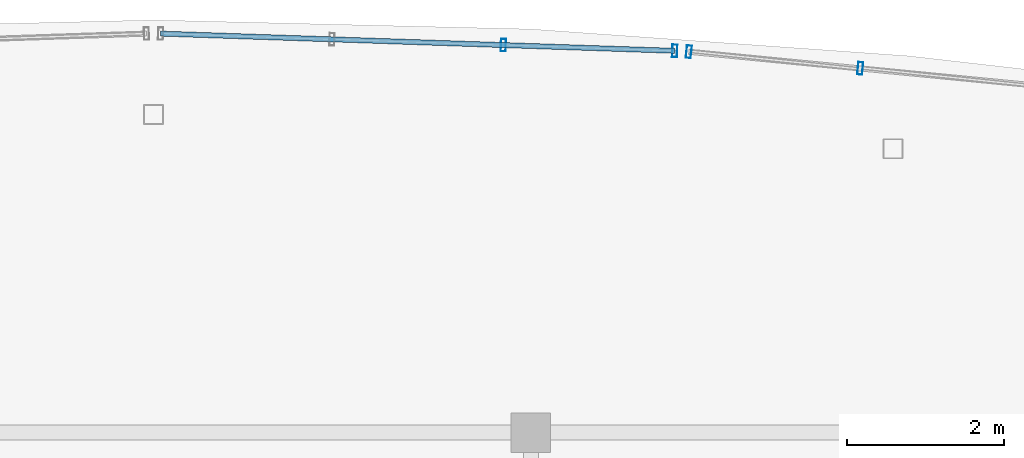
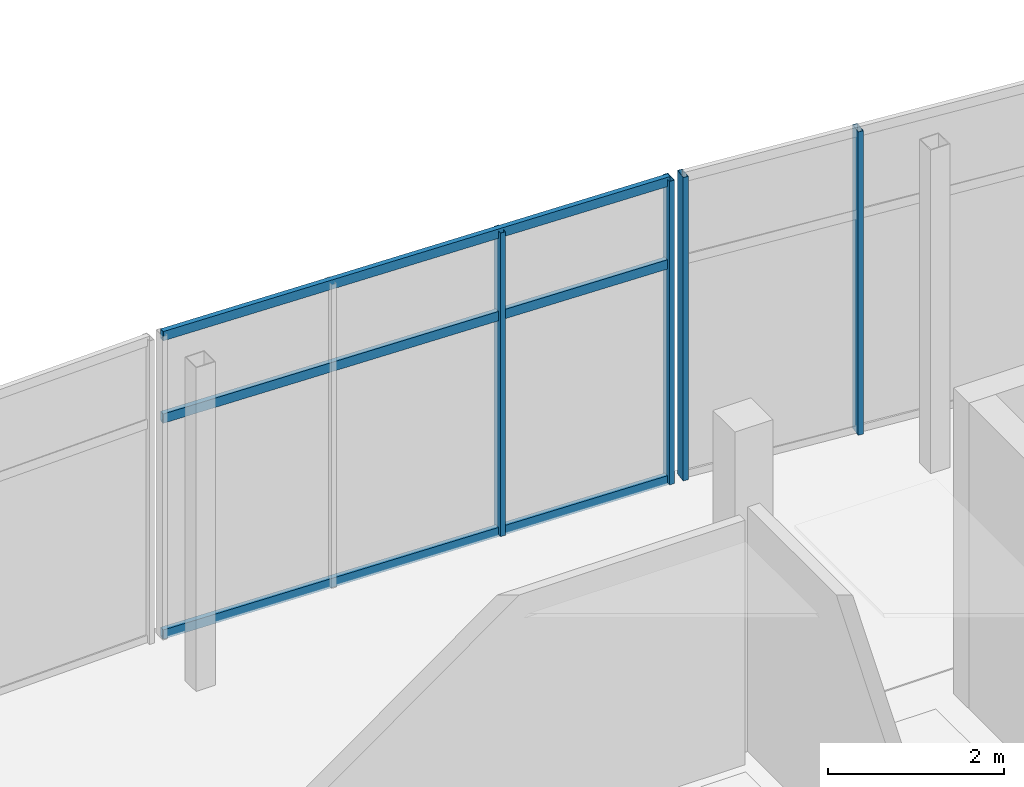
# One storey, part 73 of 114: 7 members, 2 elements without a shape of their own.
"""IFC4 building model written with IfcOpenShell, lengths in metres."""

from ifc_helpers import new_model, si_unit, direction, frame, origin, origin_2d, place, context, subcontext, project, spatial, hollow_rectangle, extrude, material, layer, layer_set, material_profile, profile_set, type_object, element, aggregate, save


model = new_model("IFC4")

# Units and contexts
model_context = context("Model", 3, precision=1e-05, world=origin(), true_north=direction((0.0, 1.0)))
body_context = subcontext(model_context, "Body", "Model", "MODEL_VIEW")
ifc_project = project(units=[si_unit("LENGTHUNIT", "METRE"), si_unit("AREAUNIT", "SQUARE_METRE"), si_unit("VOLUMEUNIT", "CUBIC_METRE"), si_unit("PLANEANGLEUNIT", "RADIAN"), si_unit("MASSUNIT", "GRAM", prefix="KILO")], contexts=[model_context])

# Site, building, storey
site_placement = place(None, origin())
site = spatial("IfcSite", under=ifc_project, at=site_placement, CompositionType="ELEMENT")
building_placement = place(site_placement, origin())
building = spatial("IfcBuilding", under=site, at=building_placement, Name="Chalmorin Arch Market", CompositionType="ELEMENT")
storey_placement = place(building_placement, frame((0.0, 0.0, 9.60009765625)))
storey = spatial("IfcBuildingStorey", under=building, at=storey_placement, Name="L02", CompositionType="ELEMENT", Elevation=9.60009765625)

# Curtain wall, members
ifc_material = material(Name="Aluminium 6063-T6", Category="aluminium")
ifc_layer_1 = layer(ifc_material, 0.159912109375)
ifc_layer_set_1 = layer_set([ifc_layer_1], Name="Aluminium 6063-T6")
curtain_wall_type_1 = type_object("IfcCurtainWallType", Name="CulinaryStudioCurtainWall-CW3-6540x4220", PredefinedType="NOTDEFINED", material=ifc_layer_set_1)
curtain_wall_1_placement = place(storey_placement, origin())
curtain_wall_1 = element("IfcCurtainWall", 1, at=curtain_wall_1_placement, inside=storey, type_object=curtain_wall_type_1, Name="CW-03-137", PredefinedType="NOTDEFINED")
ifc_material_profile_1 = material_profile(ifc_material, hollow_rectangle(XDim=0.06494140625, YDim=0.159912109375, WallThickness=0.00390625, at=origin_2d()), Name="ALU65X160X4")
ifc_profile_set_1 = profile_set([ifc_material_profile_1], Name="Aluminium 6063-T6")
member_type_1 = type_object("IfcMemberType", Name="CurtainWallMullion-65x160", PredefinedType="MULLION", material=ifc_profile_set_1)
member_1_placement = place(storey_placement, frame((86.050048828125, 122.930908203125, 0.0), z_axis=(0.0, 0.0, 1.0), x_axis=(0.999390827019, -0.034899496703, 0.0)))
member_1 = element("IfcMember", 2, at=member_1_placement, type_object=member_type_1, Name="ML-137-03", PredefinedType="MULLION", context=body_context, shape_type="SweptSolid", body=[
    extrude(hollow_rectangle(XDim=0.06494140625, YDim=0.159912109375, WallThickness=0.00390625, at=origin_2d()), origin(), (0.0, 0.0, 1.0), 4.219970703125),
])
member_2_placement = place(storey_placement, frame((88.22998046875, 122.85791015625, 0.0), z_axis=(0.0, 0.0, 1.0), x_axis=(0.999390827019, -0.034899496703, 0.0)))
member_2 = element("IfcMember", 3, at=member_2_placement, type_object=member_type_1, Name="ML-137-04", PredefinedType="MULLION", context=body_context, shape_type="SweptSolid", body=[
    extrude(hollow_rectangle(XDim=0.06494140625, YDim=0.159912109375, WallThickness=0.00390625, at=origin_2d()), origin(), (0.0, 0.0, 1.0), 4.219970703125),
])

ifc_layer_2 = layer(ifc_material, 0.159912109375)
ifc_layer_set_2 = layer_set([ifc_layer_2], Name="Aluminium 6063-T6")
curtain_wall_type_2 = type_object("IfcCurtainWallType", Name="CulinaryStudioCurtainWall-CW3-6570x4220", PredefinedType="NOTDEFINED", material=ifc_layer_set_2)
curtain_wall_2_placement = place(storey_placement, origin())
curtain_wall_2 = element("IfcCurtainWall", 4, at=curtain_wall_2_placement, inside=storey, type_object=curtain_wall_type_2, Name="CW-03-140", PredefinedType="NOTDEFINED")
member_3_placement = place(storey_placement, frame((88.40966796875, 122.84619140625, 0.0), z_axis=(0.0, 0.0, 1.0), x_axis=(0.994521895368, -0.104528463268, 0.0)))
member_3 = element("IfcMember", 5, at=member_3_placement, type_object=member_type_1, Name="ML-140-01", PredefinedType="MULLION", context=body_context, shape_type="SweptSolid", body=[
    extrude(hollow_rectangle(XDim=0.06494140625, YDim=0.159912109375, WallThickness=0.00390625, at=origin_2d()), origin(), (0.0, 0.0, 1.0), 4.219970703125),
])
member_4_placement = place(storey_placement, frame((90.58984375, 122.634033203125, 0.0), z_axis=(0.0, 0.0, 1.0), x_axis=(0.994521895368, -0.104528463268, 0.0)))
member_4 = element("IfcMember", 6, at=member_4_placement, type_object=member_type_1, Name="ML-140-02", PredefinedType="MULLION", context=body_context, shape_type="SweptSolid", body=[
    extrude(hollow_rectangle(XDim=0.06494140625, YDim=0.159912109375, WallThickness=0.00390625, at=origin_2d()), origin(), (0.0, 0.0, 1.0), 4.219970703125),
])
aggregate(curtain_wall_2, [member_3, member_4])

# Member
ifc_material_profile_2 = material_profile(ifc_material, hollow_rectangle(XDim=0.06494140625, YDim=0.1298828125, WallThickness=0.00390625, at=origin_2d()), Name="ALU65X130X4")
ifc_profile_set_2 = profile_set([ifc_material_profile_2], Name="Aluminium 6063-T6")
member_type_2 = type_object("IfcMemberType", Name="CurtainWallTransom-65x130", PredefinedType="USERDEFINED", material=ifc_profile_set_2)
member_5_placement = place(storey_placement, frame((81.68994140625, 123.076904296875, 0.034912109375), z_axis=(0.999439843627, -0.033466385685, 0.0), x_axis=(0.033466385685, 0.999439843627, 0.0)))
member_5 = element("IfcMember", 7, at=member_5_placement, type_object=member_type_2, Name="TR-137-01", ObjectType="TRANSOM", PredefinedType="USERDEFINED", context=body_context, shape_type="SweptSolid", body=[
    extrude(hollow_rectangle(XDim=0.06494140625, YDim=0.1298828125, WallThickness=0.00390625, at=origin_2d()), origin(), (0.0, 0.0, 1.0), 6.543701171875),
])

member_6_placement = place(storey_placement, frame((81.68994140625, 123.076904296875, 3.038330078125), z_axis=(0.999439843627, -0.033466385685, 0.0), x_axis=(0.033466385685, 0.999439843627, 0.0)))
member_6 = element("IfcMember", 8, at=member_6_placement, type_object=member_type_2, Name="TR-137-02", ObjectType="TRANSOM", PredefinedType="USERDEFINED", context=body_context, shape_type="SweptSolid", body=[
    extrude(hollow_rectangle(XDim=0.06494140625, YDim=0.1298828125, WallThickness=0.00390625, at=origin_2d()), origin(), (0.0, 0.0, 1.0), 6.543701171875),
])

member_7_placement = place(storey_placement, frame((81.68994140625, 123.076904296875, 4.184814453125), z_axis=(0.999439843627, -0.033466385685, 0.0), x_axis=(0.033466385685, 0.999439843627, 0.0)))
member_7 = element("IfcMember", 9, at=member_7_placement, type_object=member_type_2, Name="TR-137-03", ObjectType="TRANSOM", PredefinedType="USERDEFINED", context=body_context, shape_type="SweptSolid", body=[
    extrude(hollow_rectangle(XDim=0.06494140625, YDim=0.1298828125, WallThickness=0.00390625, at=origin_2d()), origin(), (0.0, 0.0, 1.0), 6.543701171875),
])

aggregate(curtain_wall_1, [member_1, member_2, member_5, member_6, member_7])

save(model, "model.ifc")
